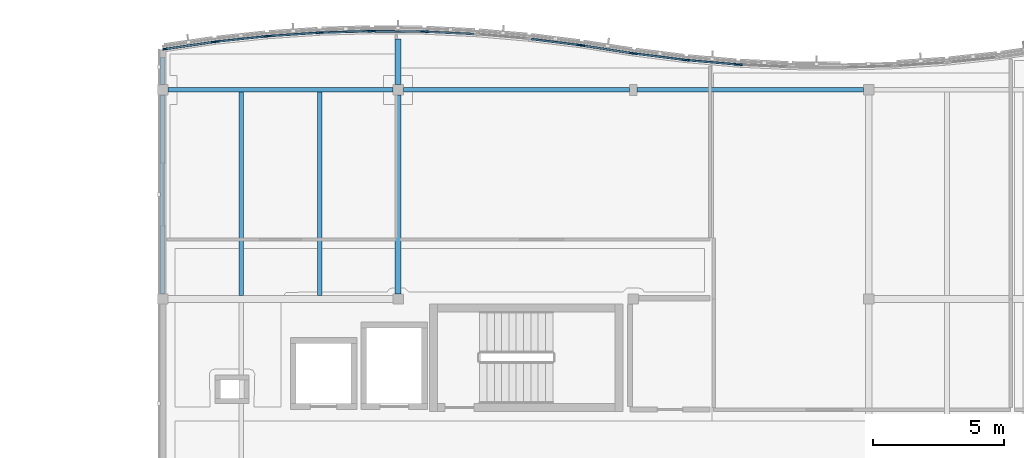
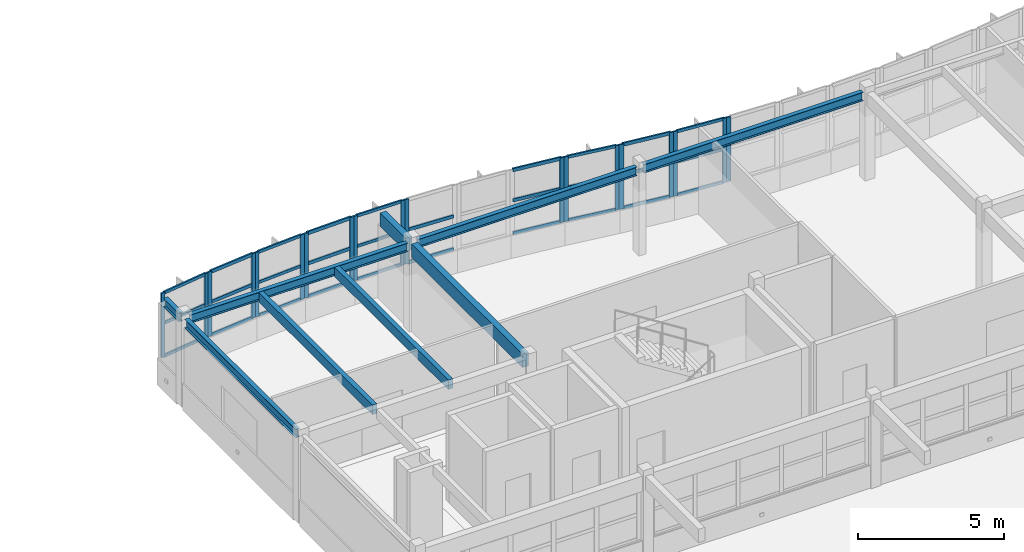
# One storey, part 13 of 52: 48 members, 9 beams, 11 elements without a shape of their own.
"""IFC4 building model written with IfcOpenShell, lengths in metres."""

from ifc_helpers import new_model, si_unit, direction, frame, origin, origin_2d, place, context, subcontext, project, spatial, rectangle, i_section, extrude, material, layer, layer_set, material_profile, profile_set, type_object, element, aggregate, save


model = new_model("IFC4")

# Units and contexts
model_context = context("Model", 3, precision=1e-05, world=origin(), true_north=direction((0.0, 1.0)))
body_context = subcontext(model_context, "Body", "Model", "MODEL_VIEW")
ifc_project = project(units=[si_unit("LENGTHUNIT", "METRE"), si_unit("AREAUNIT", "SQUARE_METRE"), si_unit("VOLUMEUNIT", "CUBIC_METRE"), si_unit("PLANEANGLEUNIT", "RADIAN"), si_unit("MASSUNIT", "GRAM", prefix="KILO")], contexts=[model_context])

# Site, building, storey
site_placement = place(None, origin())
site = spatial("IfcSite", under=ifc_project, at=site_placement, CompositionType="ELEMENT")
building_placement = place(site_placement, origin())
building = spatial("IfcBuilding", under=site, at=building_placement, Name="Tonlespit Floodbar School", CompositionType="ELEMENT")
storey_placement = place(building_placement, frame((0.0, 0.0, 12.300048828125)))
storey = spatial("IfcBuildingStorey", under=building, at=storey_placement, Name="L03", CompositionType="ELEMENT", Elevation=12.300048828125)

# Beams
ifc_material_1 = material(Name="Glulam GL28h", Category="wood")
ifc_material_profile_1 = material_profile(ifc_material_1, rectangle(XDim=0.239990234375, YDim=0.56005859375, at=origin_2d()), Name="GL 240x560")
ifc_profile_set_1 = profile_set([ifc_material_profile_1], Name="Glulam GL28h")
beam_type_1 = type_object("IfcBeamType", Name="Beam_GL_240x560", PredefinedType="BEAM", material=ifc_profile_set_1)
beam_1_placement = place(storey_placement, frame((53.0, 112.199951171875, 3.369873046875), z_axis=(0.0, 1.0, 0.0), x_axis=(-1.0, 0.0, 0.0)))
element("IfcBeam", 1, at=beam_1_placement, inside=storey, type_object=beam_type_1, Name="L03 girder 1224", PredefinedType="BEAM", context=body_context, shape_type="SweptSolid", body=[
    extrude(rectangle(XDim=0.239990234375, YDim=0.56005859375, at=origin_2d()), origin(), (0.0, 0.0, 1.0), 7.60009765625),
])
beam_2_placement = place(storey_placement, frame((53.0, 120.199951171875, 3.369873046875), z_axis=(0.0, 1.0, 0.0), x_axis=(-1.0, 0.0, 0.0)))
element("IfcBeam", 2, at=beam_2_placement, inside=storey, type_object=beam_type_1, Name="L03 north street wave cantilever bracket", PredefinedType="BEAM", context=body_context, shape_type="SweptSolid", body=[
    extrude(rectangle(XDim=0.239990234375, YDim=0.56005859375, at=origin_2d()), origin(), (0.0, 0.0, 1.0), 1.7470703125),
])

# Curtain wall, members
ifc_material_2 = material(Name="Anodised Aluminium", Category="aluminium")
ifc_layer_1 = layer(ifc_material_2, 0.159912109375)
ifc_layer_set_1 = layer_set([ifc_layer_1], Name="Anodised Aluminium")
curtain_wall_type_1 = type_object("IfcCurtainWallType", Name="CurtainWall_1950x2700", PredefinedType="NOTDEFINED", material=ifc_layer_set_1)
curtain_wall_1_placement = place(storey_placement, origin())
curtain_wall_1 = element("IfcCurtainWall", 3, at=curtain_wall_1_placement, inside=storey, type_object=curtain_wall_type_1, Name="L03 unitised curtain wall 0124", PredefinedType="NOTDEFINED")
ifc_material_profile_2 = material_profile(ifc_material_2, rectangle(XDim=0.06494140625, YDim=0.14990234375, at=origin_2d()), Name="ALU M65x150")
ifc_profile_set_2 = profile_set([ifc_material_profile_2], Name="Anodised Aluminium")
member_type_1 = type_object("IfcMemberType", Name="CW_Mullion_65x150", PredefinedType="MULLION", material=ifc_profile_set_2)
member_1_placement = place(storey_placement, frame((44.07177734375, 121.560546875, 0.949951171875), z_axis=(0.0, 0.0, 1.0), x_axis=(-0.144248041079, 0.989541561858, 0.0)))
member_1 = element("IfcMember", 4, at=member_1_placement, type_object=member_type_1, Name="CW-04 mullion 1", PredefinedType="MULLION", context=body_context, shape_type="SweptSolid", body=[
    extrude(rectangle(XDim=0.06494140625, YDim=0.14990234375, at=origin_2d()), origin(), (0.0, 0.0, 1.0), 2.699951171875),
])
member_2_placement = place(storey_placement, frame((45.92822265625, 121.8310546875, 0.949951171875), z_axis=(0.0, 0.0, 1.0), x_axis=(-0.144248041079, 0.989541561858, 0.0)))
member_2 = element("IfcMember", 5, at=member_2_placement, type_object=member_type_1, Name="CW-04 mullion 2", PredefinedType="MULLION", context=body_context, shape_type="SweptSolid", body=[
    extrude(rectangle(XDim=0.06494140625, YDim=0.14990234375, at=origin_2d()), origin(), (0.0, 0.0, 1.0), 2.699951171875),
])

ifc_layer_2 = layer(ifc_material_2, 0.159912109375)
ifc_layer_set_2 = layer_set([ifc_layer_2], Name="Anodised Aluminium")
curtain_wall_type_2 = type_object("IfcCurtainWallType", Name="CurtainWall_1900x2700", PredefinedType="NOTDEFINED", material=ifc_layer_set_2)
curtain_wall_2_placement = place(storey_placement, origin())
curtain_wall_2 = element("IfcCurtainWall", 6, at=curtain_wall_2_placement, inside=storey, type_object=curtain_wall_type_2, Name="L03 unitised curtain wall 0126", PredefinedType="NOTDEFINED")
member_3_placement = place(storey_placement, frame((48.072265625, 122.05908203125, 0.949951171875), z_axis=(0.0, 0.0, 1.0), x_axis=(-0.067339767311, 0.99773010165, 0.0)))
member_3 = element("IfcMember", 7, at=member_3_placement, type_object=member_type_1, Name="CW-05 mullion 1", PredefinedType="MULLION", context=body_context, shape_type="SweptSolid", body=[
    extrude(rectangle(XDim=0.06494140625, YDim=0.14990234375, at=origin_2d()), origin(), (0.0, 0.0, 1.0), 2.699951171875),
])
member_4_placement = place(storey_placement, frame((49.927734375, 122.184326171875, 0.949951171875), z_axis=(0.0, 0.0, 1.0), x_axis=(-0.067339767311, 0.99773010165, 0.0)))
member_4 = element("IfcMember", 8, at=member_4_placement, type_object=member_type_1, Name="CW-05 mullion 2", PredefinedType="MULLION", context=body_context, shape_type="SweptSolid", body=[
    extrude(rectangle(XDim=0.06494140625, YDim=0.14990234375, at=origin_2d()), origin(), (0.0, 0.0, 1.0), 2.699951171875),
])

curtain_wall_3_placement = place(storey_placement, origin())
curtain_wall_3 = element("IfcCurtainWall", 9, at=curtain_wall_3_placement, inside=storey, type_object=curtain_wall_type_2, Name="L03 unitised curtain wall 0128", PredefinedType="NOTDEFINED")
member_5_placement = place(storey_placement, frame((52.072509765625, 122.246337890625, 0.949951171875), z_axis=(0.0, 0.0, 1.0), x_axis=(0.009582893292, 0.999954083024, 0.0)))
member_5 = element("IfcMember", 10, at=member_5_placement, type_object=member_type_1, Name="CW-05 mullion 1", PredefinedType="MULLION", context=body_context, shape_type="SweptSolid", body=[
    extrude(rectangle(XDim=0.06494140625, YDim=0.14990234375, at=origin_2d()), origin(), (0.0, 0.0, 1.0), 2.699951171875),
])
member_6_placement = place(storey_placement, frame((53.927490234375, 122.228515625, 0.949951171875), z_axis=(0.0, 0.0, 1.0), x_axis=(0.009582893292, 0.999954083024, 0.0)))
member_6 = element("IfcMember", 11, at=member_6_placement, type_object=member_type_1, Name="CW-05 mullion 2", PredefinedType="MULLION", context=body_context, shape_type="SweptSolid", body=[
    extrude(rectangle(XDim=0.06494140625, YDim=0.14990234375, at=origin_2d()), origin(), (0.0, 0.0, 1.0), 2.699951171875),
])

curtain_wall_4_placement = place(storey_placement, origin())
curtain_wall_4 = element("IfcCurtainWall", 12, at=curtain_wall_4_placement, inside=storey, type_object=curtain_wall_type_1, Name="L03 unitised curtain wall 0132", PredefinedType="NOTDEFINED")
member_7_placement = place(storey_placement, frame((60.071533203125, 121.694580078125, 0.949951171875), z_axis=(0.0, 0.0, 1.0), x_axis=(0.153796288585, 0.988102576465, 0.0)))
member_7 = element("IfcMember", 13, at=member_7_placement, type_object=member_type_1, Name="CW-04 mullion 1", PredefinedType="MULLION", context=body_context, shape_type="SweptSolid", body=[
    extrude(rectangle(XDim=0.06494140625, YDim=0.14990234375, at=origin_2d()), origin(), (0.0, 0.0, 1.0), 2.699951171875),
])
member_8_placement = place(storey_placement, frame((61.928466796875, 121.405517578125, 0.949951171875), z_axis=(0.0, 0.0, 1.0), x_axis=(0.153796288585, 0.988102576465, 0.0)))
member_8 = element("IfcMember", 14, at=member_8_placement, type_object=member_type_1, Name="CW-04 mullion 2", PredefinedType="MULLION", context=body_context, shape_type="SweptSolid", body=[
    extrude(rectangle(XDim=0.06494140625, YDim=0.14990234375, at=origin_2d()), origin(), (0.0, 0.0, 1.0), 2.699951171875),
])

curtain_wall_5_placement = place(storey_placement, origin())
curtain_wall_5 = element("IfcCurtainWall", 15, at=curtain_wall_5_placement, inside=storey, type_object=curtain_wall_type_1, Name="L03 unitised curtain wall 0134", PredefinedType="NOTDEFINED")
member_9_placement = place(storey_placement, frame((64.072265625, 121.135986328125, 0.949951171875), z_axis=(0.0, 0.0, 1.0), x_axis=(0.086531117454, 0.996249148412, 0.0)))
member_9 = element("IfcMember", 16, at=member_9_placement, type_object=member_type_1, Name="CW-04 mullion 1", PredefinedType="MULLION", context=body_context, shape_type="SweptSolid", body=[
    extrude(rectangle(XDim=0.06494140625, YDim=0.14990234375, at=origin_2d()), origin(), (0.0, 0.0, 1.0), 2.699951171875),
])
member_10_placement = place(storey_placement, frame((65.927734375, 120.974853515625, 0.949951171875), z_axis=(0.0, 0.0, 1.0), x_axis=(0.086531117454, 0.996249148412, 0.0)))
member_10 = element("IfcMember", 17, at=member_10_placement, type_object=member_type_1, Name="CW-04 mullion 2", PredefinedType="MULLION", context=body_context, shape_type="SweptSolid", body=[
    extrude(rectangle(XDim=0.06494140625, YDim=0.14990234375, at=origin_2d()), origin(), (0.0, 0.0, 1.0), 2.699951171875),
])

curtain_wall_6_placement = place(storey_placement, origin())
curtain_wall_6 = element("IfcCurtainWall", 18, at=curtain_wall_6_placement, inside=storey, type_object=curtain_wall_type_1, Name="L03 unitised curtain wall 0125", PredefinedType="NOTDEFINED")
ifc_material_profile_3 = material_profile(ifc_material_2, rectangle(XDim=0.06494140625, YDim=0.179931640625, at=origin_2d()), Name="ALU M65x180")
ifc_profile_set_3 = profile_set([ifc_material_profile_3], Name="Anodised Aluminium")
member_type_2 = type_object("IfcMemberType", Name="CW_Mullion_65x180", PredefinedType="MULLION", material=ifc_profile_set_3)
member_11_placement = place(storey_placement, frame((46.072021484375, 121.84912109375, 0.949951171875), z_axis=(0.0, 0.0, 1.0), x_axis=(-0.105787143968, 0.994388797288, 0.0)))
member_11 = element("IfcMember", 19, at=member_11_placement, type_object=member_type_2, Name="CW-04 mullion 1", PredefinedType="MULLION", context=body_context, shape_type="SweptSolid", body=[
    extrude(rectangle(XDim=0.06494140625, YDim=0.179931640625, at=origin_2d()), origin(), (0.0, 0.0, 1.0), 2.699951171875),
])
member_12_placement = place(storey_placement, frame((47.927978515625, 122.046630859375, 0.949951171875), z_axis=(0.0, 0.0, 1.0), x_axis=(-0.105787143968, 0.994388797288, 0.0)))
member_12 = element("IfcMember", 20, at=member_12_placement, type_object=member_type_2, Name="CW-04 mullion 2", PredefinedType="MULLION", context=body_context, shape_type="SweptSolid", body=[
    extrude(rectangle(XDim=0.06494140625, YDim=0.179931640625, at=origin_2d()), origin(), (0.0, 0.0, 1.0), 2.699951171875),
])

curtain_wall_7_placement = place(storey_placement, origin())
curtain_wall_7 = element("IfcCurtainWall", 21, at=curtain_wall_7_placement, inside=storey, type_object=curtain_wall_type_2, Name="L03 unitised curtain wall 0127", PredefinedType="NOTDEFINED")
member_13_placement = place(storey_placement, frame((50.072509765625, 122.19140625, 0.949951171875), z_axis=(0.0, 0.0, 1.0), x_axis=(-0.028790144226, 0.999585477883, 0.0)))
member_13 = element("IfcMember", 22, at=member_13_placement, type_object=member_type_2, Name="CW-05 mullion 1", PredefinedType="MULLION", context=body_context, shape_type="SweptSolid", body=[
    extrude(rectangle(XDim=0.06494140625, YDim=0.179931640625, at=origin_2d()), origin(), (0.0, 0.0, 1.0), 2.699951171875),
])
member_14_placement = place(storey_placement, frame((51.927490234375, 122.244873046875, 0.949951171875), z_axis=(0.0, 0.0, 1.0), x_axis=(-0.028790144226, 0.999585477883, 0.0)))
member_14 = element("IfcMember", 23, at=member_14_placement, type_object=member_type_2, Name="CW-05 mullion 2", PredefinedType="MULLION", context=body_context, shape_type="SweptSolid", body=[
    extrude(rectangle(XDim=0.06494140625, YDim=0.179931640625, at=origin_2d()), origin(), (0.0, 0.0, 1.0), 2.699951171875),
])

# Curtain wall, member
curtain_wall_8_placement = place(storey_placement, origin())
curtain_wall_8 = element("IfcCurtainWall", 24, at=curtain_wall_8_placement, inside=storey, type_object=curtain_wall_type_2, Name="L03 unitised curtain wall 0129", PredefinedType="NOTDEFINED")
member_15_placement = place(storey_placement, frame((54.072509765625, 122.224365234375, 0.949951171875), z_axis=(0.0, 0.0, 1.0), x_axis=(0.048121270216, 0.998841500616, 0.0)))
member_15 = element("IfcMember", 25, at=member_15_placement, type_object=member_type_2, Name="CW-05 mullion 1", PredefinedType="MULLION", context=body_context, shape_type="SweptSolid", body=[
    extrude(rectangle(XDim=0.06494140625, YDim=0.179931640625, at=origin_2d()), origin(), (0.0, 0.0, 1.0), 2.699951171875),
])

curtain_wall_9_placement = place(storey_placement, origin())
curtain_wall_9 = element("IfcCurtainWall", 26, at=curtain_wall_9_placement, inside=storey, type_object=curtain_wall_type_1, Name="L03 unitised curtain wall 0131", PredefinedType="NOTDEFINED")
member_16_placement = place(storey_placement, frame((59.927978515625, 121.71484375, 0.949951171875), z_axis=(0.0, 0.0, 1.0), x_axis=(0.125013803299, 0.992155002499, 0.0)))
member_16 = element("IfcMember", 27, at=member_16_placement, type_object=member_type_2, Name="CW-04 mullion 2", PredefinedType="MULLION", context=body_context, shape_type="SweptSolid", body=[
    extrude(rectangle(XDim=0.06494140625, YDim=0.179931640625, at=origin_2d()), origin(), (0.0, 0.0, 1.0), 2.699951171875),
])

# Curtain wall, members
curtain_wall_10_placement = place(storey_placement, origin())
curtain_wall_10 = element("IfcCurtainWall", 28, at=curtain_wall_10_placement, inside=storey, type_object=curtain_wall_type_1, Name="L03 unitised curtain wall 0133", PredefinedType="NOTDEFINED")
member_17_placement = place(storey_placement, frame((62.072021484375, 121.38525390625, 0.949951171875), z_axis=(0.0, 0.0, 1.0), x_axis=(0.125013803299, 0.992155002499, 0.0)))
member_17 = element("IfcMember", 29, at=member_17_placement, type_object=member_type_2, Name="CW-04 mullion 1", PredefinedType="MULLION", context=body_context, shape_type="SweptSolid", body=[
    extrude(rectangle(XDim=0.06494140625, YDim=0.179931640625, at=origin_2d()), origin(), (0.0, 0.0, 1.0), 2.699951171875),
])
member_18_placement = place(storey_placement, frame((63.927978515625, 121.1513671875, 0.949951171875), z_axis=(0.0, 0.0, 1.0), x_axis=(0.125013803299, 0.992155002499, 0.0)))
member_18 = element("IfcMember", 30, at=member_18_placement, type_object=member_type_2, Name="CW-04 mullion 2", PredefinedType="MULLION", context=body_context, shape_type="SweptSolid", body=[
    extrude(rectangle(XDim=0.06494140625, YDim=0.179931640625, at=origin_2d()), origin(), (0.0, 0.0, 1.0), 2.699951171875),
])

# Curtain wall, member
curtain_wall_11_placement = place(storey_placement, origin())
curtain_wall_11 = element("IfcCurtainWall", 31, at=curtain_wall_11_placement, inside=storey, type_object=curtain_wall_type_2, Name="L03 unitised curtain wall 0135", PredefinedType="NOTDEFINED")
member_19_placement = place(storey_placement, frame((66.072509765625, 120.965087890625, 0.949951171875), z_axis=(0.0, 0.0, 1.0), x_axis=(0.048121270216, 0.998841500616, 0.0)))
member_19 = element("IfcMember", 32, at=member_19_placement, type_object=member_type_2, Name="CW-05 mullion 1", PredefinedType="MULLION", context=body_context, shape_type="SweptSolid", body=[
    extrude(rectangle(XDim=0.06494140625, YDim=0.179931640625, at=origin_2d()), origin(), (0.0, 0.0, 1.0), 2.699951171875),
])
aggregate(curtain_wall_11, [member_19])

# Member
ifc_material_profile_4 = material_profile(ifc_material_2, rectangle(XDim=0.06494140625, YDim=0.1201171875, at=origin_2d()), Name="ALU T65x120")
ifc_profile_set_4 = profile_set([ifc_material_profile_4], Name="Anodised Aluminium")
member_type_3 = type_object("IfcMemberType", Name="CW_Transom_65x120", PredefinedType="USERDEFINED", material=ifc_profile_set_4)
member_20_placement = place(storey_placement, frame((44.10400390625, 121.565185546875, 0.982421875), z_axis=(0.989541000818, 0.144251889765, 0.0), x_axis=(-0.144251889765, 0.989541000818, 0.0)))
member_20 = element("IfcMember", 33, at=member_20_placement, type_object=member_type_3, Name="CW-04 transom 1.1", ObjectType="TRANSOM", PredefinedType="USERDEFINED", context=body_context, shape_type="SweptSolid", body=[
    extrude(rectangle(XDim=0.06494140625, YDim=0.1201171875, at=origin_2d()), origin(), (0.0, 0.0, 1.0), 1.81103515625),
])

member_21_placement = place(storey_placement, frame((44.10400390625, 121.565185546875, 2.35400390625), z_axis=(0.989541000818, 0.144251889765, 0.0), x_axis=(-0.144251889765, 0.989541000818, 0.0)))
member_21 = element("IfcMember", 34, at=member_21_placement, type_object=member_type_3, Name="CW-04 transom 1.2", ObjectType="TRANSOM", PredefinedType="USERDEFINED", context=body_context, shape_type="SweptSolid", body=[
    extrude(rectangle(XDim=0.06494140625, YDim=0.1201171875, at=origin_2d()), origin(), (0.0, 0.0, 1.0), 1.81103515625),
])

member_22_placement = place(storey_placement, frame((44.10400390625, 121.565185546875, 3.617431640625), z_axis=(0.989541000818, 0.144251889765, 0.0), x_axis=(-0.144251889765, 0.989541000818, 0.0)))
member_22 = element("IfcMember", 35, at=member_22_placement, type_object=member_type_3, Name="CW-04 transom 1.3", ObjectType="TRANSOM", PredefinedType="USERDEFINED", context=body_context, shape_type="SweptSolid", body=[
    extrude(rectangle(XDim=0.06494140625, YDim=0.1201171875, at=origin_2d()), origin(), (0.0, 0.0, 1.0), 1.81103515625),
])

aggregate(curtain_wall_1, [member_1, member_2, member_20, member_21, member_22])

member_23_placement = place(storey_placement, frame((48.104736328125, 122.061279296875, 0.982421875), z_axis=(0.997730041674, 0.067340655935, 0.0), x_axis=(-0.067340655935, 0.997730041674, 0.0)))
member_23 = element("IfcMember", 36, at=member_23_placement, type_object=member_type_3, Name="CW-05 transom 1.1", ObjectType="TRANSOM", PredefinedType="USERDEFINED", context=body_context, shape_type="SweptSolid", body=[
    extrude(rectangle(XDim=0.06494140625, YDim=0.1201171875, at=origin_2d()), origin(), (0.0, 0.0, 1.0), 1.794677734375),
])

member_24_placement = place(storey_placement, frame((48.104736328125, 122.061279296875, 2.35400390625), z_axis=(0.997730041674, 0.067340655935, 0.0), x_axis=(-0.067340655935, 0.997730041674, 0.0)))
member_24 = element("IfcMember", 37, at=member_24_placement, type_object=member_type_3, Name="CW-05 transom 1.2", ObjectType="TRANSOM", PredefinedType="USERDEFINED", context=body_context, shape_type="SweptSolid", body=[
    extrude(rectangle(XDim=0.06494140625, YDim=0.1201171875, at=origin_2d()), origin(), (0.0, 0.0, 1.0), 1.794677734375),
])

member_25_placement = place(storey_placement, frame((48.104736328125, 122.061279296875, 3.617431640625), z_axis=(0.997730041674, 0.067340655935, 0.0), x_axis=(-0.067340655935, 0.997730041674, 0.0)))
member_25 = element("IfcMember", 38, at=member_25_placement, type_object=member_type_3, Name="CW-05 transom 1.3", ObjectType="TRANSOM", PredefinedType="USERDEFINED", context=body_context, shape_type="SweptSolid", body=[
    extrude(rectangle(XDim=0.06494140625, YDim=0.1201171875, at=origin_2d()), origin(), (0.0, 0.0, 1.0), 1.794677734375),
])

aggregate(curtain_wall_2, [member_3, member_4, member_23, member_24, member_25])

member_26_placement = place(storey_placement, frame((52.10498046875, 122.24609375, 0.982421875), z_axis=(0.999953117448, -0.009683124842, 0.0), x_axis=(0.009683124842, 0.999953117448, 0.0)))
member_26 = element("IfcMember", 39, at=member_26_placement, type_object=member_type_3, Name="CW-05 transom 1.1", ObjectType="TRANSOM", PredefinedType="USERDEFINED", context=body_context, shape_type="SweptSolid", body=[
    extrude(rectangle(XDim=0.06494140625, YDim=0.1201171875, at=origin_2d()), origin(), (0.0, 0.0, 1.0), 1.7900390625),
])

member_27_placement = place(storey_placement, frame((52.10498046875, 122.24609375, 2.35400390625), z_axis=(0.999953117448, -0.009683124842, 0.0), x_axis=(0.009683124842, 0.999953117448, 0.0)))
member_27 = element("IfcMember", 40, at=member_27_placement, type_object=member_type_3, Name="CW-05 transom 1.2", ObjectType="TRANSOM", PredefinedType="USERDEFINED", context=body_context, shape_type="SweptSolid", body=[
    extrude(rectangle(XDim=0.06494140625, YDim=0.1201171875, at=origin_2d()), origin(), (0.0, 0.0, 1.0), 1.7900390625),
])

member_28_placement = place(storey_placement, frame((52.10498046875, 122.24609375, 3.617431640625), z_axis=(0.999953117448, -0.009683124842, 0.0), x_axis=(0.009683124842, 0.999953117448, 0.0)))
member_28 = element("IfcMember", 41, at=member_28_placement, type_object=member_type_3, Name="CW-05 transom 1.3", ObjectType="TRANSOM", PredefinedType="USERDEFINED", context=body_context, shape_type="SweptSolid", body=[
    extrude(rectangle(XDim=0.06494140625, YDim=0.1201171875, at=origin_2d()), origin(), (0.0, 0.0, 1.0), 1.7900390625),
])

aggregate(curtain_wall_3, [member_5, member_6, member_26, member_27, member_28])

member_29_placement = place(storey_placement, frame((60.103759765625, 121.689453125, 0.982421875), z_axis=(0.988097838313, -0.15382672694, 0.0), x_axis=(0.15382672694, 0.988097838313, 0.0)))
member_29 = element("IfcMember", 42, at=member_29_placement, type_object=member_type_3, Name="CW-04 transom 1.1", ObjectType="TRANSOM", PredefinedType="USERDEFINED", context=body_context, shape_type="SweptSolid", body=[
    extrude(rectangle(XDim=0.06494140625, YDim=0.1201171875, at=origin_2d()), origin(), (0.0, 0.0, 1.0), 1.81396484375),
])

member_30_placement = place(storey_placement, frame((60.103759765625, 121.689453125, 2.35400390625), z_axis=(0.988097838313, -0.15382672694, 0.0), x_axis=(0.15382672694, 0.988097838313, 0.0)))
member_30 = element("IfcMember", 43, at=member_30_placement, type_object=member_type_3, Name="CW-04 transom 1.2", ObjectType="TRANSOM", PredefinedType="USERDEFINED", context=body_context, shape_type="SweptSolid", body=[
    extrude(rectangle(XDim=0.06494140625, YDim=0.1201171875, at=origin_2d()), origin(), (0.0, 0.0, 1.0), 1.81396484375),
])

member_31_placement = place(storey_placement, frame((60.103759765625, 121.689453125, 3.617431640625), z_axis=(0.988097838313, -0.15382672694, 0.0), x_axis=(0.15382672694, 0.988097838313, 0.0)))
member_31 = element("IfcMember", 44, at=member_31_placement, type_object=member_type_3, Name="CW-04 transom 1.3", ObjectType="TRANSOM", PredefinedType="USERDEFINED", context=body_context, shape_type="SweptSolid", body=[
    extrude(rectangle(XDim=0.06494140625, YDim=0.1201171875, at=origin_2d()), origin(), (0.0, 0.0, 1.0), 1.81396484375),
])

aggregate(curtain_wall_4, [member_7, member_8, member_29, member_30, member_31])

member_32_placement = place(storey_placement, frame((64.1044921875, 121.133056640625, 0.982421875), z_axis=(0.996251281774, -0.086506552139, 0.0), x_axis=(0.086506552139, 0.996251281774, 0.0)))
member_32 = element("IfcMember", 45, at=member_32_placement, type_object=member_type_3, Name="CW-04 transom 1.1", ObjectType="TRANSOM", PredefinedType="USERDEFINED", context=body_context, shape_type="SweptSolid", body=[
    extrude(rectangle(XDim=0.06494140625, YDim=0.1201171875, at=origin_2d()), origin(), (0.0, 0.0, 1.0), 1.7978515625),
])

member_33_placement = place(storey_placement, frame((64.1044921875, 121.133056640625, 2.35400390625), z_axis=(0.996251281774, -0.086506552139, 0.0), x_axis=(0.086506552139, 0.996251281774, 0.0)))
member_33 = element("IfcMember", 46, at=member_33_placement, type_object=member_type_3, Name="CW-04 transom 1.2", ObjectType="TRANSOM", PredefinedType="USERDEFINED", context=body_context, shape_type="SweptSolid", body=[
    extrude(rectangle(XDim=0.06494140625, YDim=0.1201171875, at=origin_2d()), origin(), (0.0, 0.0, 1.0), 1.7978515625),
])

member_34_placement = place(storey_placement, frame((64.1044921875, 121.133056640625, 3.617431640625), z_axis=(0.996251281774, -0.086506552139, 0.0), x_axis=(0.086506552139, 0.996251281774, 0.0)))
member_34 = element("IfcMember", 47, at=member_34_placement, type_object=member_type_3, Name="CW-04 transom 1.3", ObjectType="TRANSOM", PredefinedType="USERDEFINED", context=body_context, shape_type="SweptSolid", body=[
    extrude(rectangle(XDim=0.06494140625, YDim=0.1201171875, at=origin_2d()), origin(), (0.0, 0.0, 1.0), 1.7978515625),
])

aggregate(curtain_wall_5, [member_9, member_10, member_32, member_33, member_34])

ifc_material_profile_5 = material_profile(ifc_material_2, rectangle(XDim=0.06494140625, YDim=0.139892578125, at=origin_2d()), Name="ALU T65x140")
ifc_profile_set_5 = profile_set([ifc_material_profile_5], Name="Anodised Aluminium")
member_type_4 = type_object("IfcMemberType", Name="CW_Transom_65x140", PredefinedType="USERDEFINED", material=ifc_profile_set_5)
member_35_placement = place(storey_placement, frame((46.1044921875, 121.852783203125, 0.982421875), z_axis=(0.994394979136, 0.105729019047, 0.0), x_axis=(-0.105729019047, 0.994394979136, 0.0)))
member_35 = element("IfcMember", 48, at=member_35_placement, type_object=member_type_4, Name="CW-04 transom 1.1", ObjectType="TRANSOM", PredefinedType="USERDEFINED", context=body_context, shape_type="SweptSolid", body=[
    extrude(rectangle(XDim=0.06494140625, YDim=0.139892578125, at=origin_2d()), origin(), (0.0, 0.0, 1.0), 1.801025390625),
])

member_36_placement = place(storey_placement, frame((46.1044921875, 121.852783203125, 2.35400390625), z_axis=(0.994394979136, 0.105729019047, 0.0), x_axis=(-0.105729019047, 0.994394979136, 0.0)))
member_36 = element("IfcMember", 49, at=member_36_placement, type_object=member_type_4, Name="CW-04 transom 1.2", ObjectType="TRANSOM", PredefinedType="USERDEFINED", context=body_context, shape_type="SweptSolid", body=[
    extrude(rectangle(XDim=0.06494140625, YDim=0.139892578125, at=origin_2d()), origin(), (0.0, 0.0, 1.0), 1.801025390625),
])

member_37_placement = place(storey_placement, frame((46.1044921875, 121.852783203125, 3.617431640625), z_axis=(0.994394979136, 0.105729019047, 0.0), x_axis=(-0.105729019047, 0.994394979136, 0.0)))
member_37 = element("IfcMember", 50, at=member_37_placement, type_object=member_type_4, Name="CW-04 transom 1.3", ObjectType="TRANSOM", PredefinedType="USERDEFINED", context=body_context, shape_type="SweptSolid", body=[
    extrude(rectangle(XDim=0.06494140625, YDim=0.139892578125, at=origin_2d()), origin(), (0.0, 0.0, 1.0), 1.801025390625),
])

aggregate(curtain_wall_6, [member_11, member_12, member_35, member_36, member_37])

member_38_placement = place(storey_placement, frame((50.10498046875, 122.1923828125, 0.982421875), z_axis=(0.999586171543, 0.02876605049, 0.0), x_axis=(-0.02876605049, 0.999586171543, 0.0)))
member_38 = element("IfcMember", 51, at=member_38_placement, type_object=member_type_4, Name="CW-05 transom 1.1", ObjectType="TRANSOM", PredefinedType="USERDEFINED", context=body_context, shape_type="SweptSolid", body=[
    extrude(rectangle(XDim=0.06494140625, YDim=0.139892578125, at=origin_2d()), origin(), (0.0, 0.0, 1.0), 1.790771484375),
])

member_39_placement = place(storey_placement, frame((50.10498046875, 122.1923828125, 2.35400390625), z_axis=(0.999586171543, 0.02876605049, 0.0), x_axis=(-0.02876605049, 0.999586171543, 0.0)))
member_39 = element("IfcMember", 52, at=member_39_placement, type_object=member_type_4, Name="CW-05 transom 1.2", ObjectType="TRANSOM", PredefinedType="USERDEFINED", context=body_context, shape_type="SweptSolid", body=[
    extrude(rectangle(XDim=0.06494140625, YDim=0.139892578125, at=origin_2d()), origin(), (0.0, 0.0, 1.0), 1.790771484375),
])

member_40_placement = place(storey_placement, frame((50.10498046875, 122.1923828125, 3.617431640625), z_axis=(0.999586171543, 0.02876605049, 0.0), x_axis=(-0.02876605049, 0.999586171543, 0.0)))
member_40 = element("IfcMember", 53, at=member_40_placement, type_object=member_type_4, Name="CW-05 transom 1.3", ObjectType="TRANSOM", PredefinedType="USERDEFINED", context=body_context, shape_type="SweptSolid", body=[
    extrude(rectangle(XDim=0.06494140625, YDim=0.139892578125, at=origin_2d()), origin(), (0.0, 0.0, 1.0), 1.790771484375),
])

aggregate(curtain_wall_7, [member_13, member_14, member_38, member_39, member_40])

member_41_placement = place(storey_placement, frame((54.10498046875, 122.22265625, 0.982421875), z_axis=(0.998843034795, -0.048089415069, 0.0), x_axis=(0.048089415069, 0.998843034795, 0.0)))
member_41 = element("IfcMember", 54, at=member_41_placement, type_object=member_type_4, Name="CW-05 transom 1.1", ObjectType="TRANSOM", PredefinedType="USERDEFINED", context=body_context, shape_type="SweptSolid", body=[
    extrude(rectangle(XDim=0.06494140625, YDim=0.139892578125, at=origin_2d()), origin(), (0.0, 0.0, 1.0), 1.7919921875),
])

member_42_placement = place(storey_placement, frame((54.10498046875, 122.22265625, 2.35400390625), z_axis=(0.998843034795, -0.048089415069, 0.0), x_axis=(0.048089415069, 0.998843034795, 0.0)))
member_42 = element("IfcMember", 55, at=member_42_placement, type_object=member_type_4, Name="CW-05 transom 1.2", ObjectType="TRANSOM", PredefinedType="USERDEFINED", context=body_context, shape_type="SweptSolid", body=[
    extrude(rectangle(XDim=0.06494140625, YDim=0.139892578125, at=origin_2d()), origin(), (0.0, 0.0, 1.0), 1.7919921875),
])

aggregate(curtain_wall_8, [member_15, member_41, member_42])

member_43_placement = place(storey_placement, frame((58.104248046875, 121.944580078125, 0.982421875), z_axis=(0.992148373735, -0.125066400341, 0.0), x_axis=(0.125066400341, 0.992148373735, 0.0)))
member_43 = element("IfcMember", 56, at=member_43_placement, type_object=member_type_4, Name="CW-04 transom 1.1", ObjectType="TRANSOM", PredefinedType="USERDEFINED", context=body_context, shape_type="SweptSolid", body=[
    extrude(rectangle(XDim=0.06494140625, YDim=0.139892578125, at=origin_2d()), origin(), (0.0, 0.0, 1.0), 1.8056640625),
])

member_44_placement = place(storey_placement, frame((58.104248046875, 121.944580078125, 2.35400390625), z_axis=(0.992148373735, -0.125066400341, 0.0), x_axis=(0.125066400341, 0.992148373735, 0.0)))
member_44 = element("IfcMember", 57, at=member_44_placement, type_object=member_type_4, Name="CW-04 transom 1.2", ObjectType="TRANSOM", PredefinedType="USERDEFINED", context=body_context, shape_type="SweptSolid", body=[
    extrude(rectangle(XDim=0.06494140625, YDim=0.139892578125, at=origin_2d()), origin(), (0.0, 0.0, 1.0), 1.8056640625),
])

member_45_placement = place(storey_placement, frame((58.104248046875, 121.944580078125, 3.617431640625), z_axis=(0.992148373735, -0.125066400341, 0.0), x_axis=(0.125066400341, 0.992148373735, 0.0)))
member_45 = element("IfcMember", 58, at=member_45_placement, type_object=member_type_4, Name="CW-04 transom 1.3", ObjectType="TRANSOM", PredefinedType="USERDEFINED", context=body_context, shape_type="SweptSolid", body=[
    extrude(rectangle(XDim=0.06494140625, YDim=0.139892578125, at=origin_2d()), origin(), (0.0, 0.0, 1.0), 1.8056640625),
])

aggregate(curtain_wall_9, [member_16, member_43, member_44, member_45])

member_46_placement = place(storey_placement, frame((62.104248046875, 121.381103515625, 0.982421875), z_axis=(0.992165142165, -0.124933304901, 0.0), x_axis=(0.124933304901, 0.992165142165, 0.0)))
member_46 = element("IfcMember", 59, at=member_46_placement, type_object=member_type_4, Name="CW-04 transom 1.1", ObjectType="TRANSOM", PredefinedType="USERDEFINED", context=body_context, shape_type="SweptSolid", body=[
    extrude(rectangle(XDim=0.06494140625, YDim=0.139892578125, at=origin_2d()), origin(), (0.0, 0.0, 1.0), 1.8056640625),
])

member_47_placement = place(storey_placement, frame((62.104248046875, 121.381103515625, 2.35400390625), z_axis=(0.992165142165, -0.124933304901, 0.0), x_axis=(0.124933304901, 0.992165142165, 0.0)))
member_47 = element("IfcMember", 60, at=member_47_placement, type_object=member_type_4, Name="CW-04 transom 1.2", ObjectType="TRANSOM", PredefinedType="USERDEFINED", context=body_context, shape_type="SweptSolid", body=[
    extrude(rectangle(XDim=0.06494140625, YDim=0.139892578125, at=origin_2d()), origin(), (0.0, 0.0, 1.0), 1.8056640625),
])

member_48_placement = place(storey_placement, frame((62.104248046875, 121.381103515625, 3.617431640625), z_axis=(0.992165142165, -0.124933304901, 0.0), x_axis=(0.124933304901, 0.992165142165, 0.0)))
member_48 = element("IfcMember", 61, at=member_48_placement, type_object=member_type_4, Name="CW-04 transom 1.3", ObjectType="TRANSOM", PredefinedType="USERDEFINED", context=body_context, shape_type="SweptSolid", body=[
    extrude(rectangle(XDim=0.06494140625, YDim=0.139892578125, at=origin_2d()), origin(), (0.0, 0.0, 1.0), 1.8056640625),
])

aggregate(curtain_wall_10, [member_17, member_18, member_46, member_47, member_48])

# Beams
ifc_material_profile_6 = material_profile(ifc_material_1, rectangle(XDim=0.179931640625, YDim=0.39990234375, at=origin_2d()), Name="GL 180x400")
ifc_profile_set_6 = profile_set([ifc_material_profile_6], Name="Glulam GL28h")
beam_type_2 = type_object("IfcBeamType", Name="Joist_GL_180x400", PredefinedType="JOIST", material=ifc_profile_set_6)
for number, where, z_axis, x_axis, name in (
    (62, (47.0, 112.139892578125, 3.449951171875), (0.0, 1.0, 0.0), (-1.0, 0.0, 0.0), "L03 secondary joist 1263"),
    (63, (50.0, 112.139892578125, 3.449951171875), (0.0, 1.0, 0.0), (-1.0, 0.0, 0.0), "L03 secondary joist 1264"),
):
    element("IfcBeam", number, at=place(storey_placement, frame(where, z_axis=z_axis, x_axis=x_axis)), inside=storey, type_object=beam_type_2, Name=name, PredefinedType="JOIST", context=body_context, shape_type="SweptSolid", body=[
        extrude(rectangle(XDim=0.179931640625, YDim=0.39990234375, at=origin_2d()), origin(), (0.0, 0.0, 1.0), 7.775146484375),
    ])
ifc_material_3 = material(Name="Steel S355", Category="steel")
ifc_material_profile_7 = material_profile(ifc_material_3, i_section(OverallWidth=0.169921875, OverallDepth=0.360107421875, WebThickness=0.008056640625, FlangeThickness=0.0126953125, at=origin_2d()), Name="IPE 360")
ifc_profile_set_7 = profile_set([ifc_material_profile_7], Name="Steel S355")
beam_type_3 = type_object("IfcBeamType", Name="Spandrel_STL_IPE360", PredefinedType="SPANDREL", material=ifc_profile_set_7)
beam_3_placement = place(storey_placement, frame((44.199951171875, 120.0, 3.469970703125), z_axis=(1.0, 0.0, 0.0), x_axis=(0.0, 1.0, 0.0)))
element("IfcBeam", 64, at=beam_3_placement, inside=storey, type_object=beam_type_3, Name="L03 girder 1189", PredefinedType="SPANDREL", context=body_context, shape_type="SweptSolid", body=[
    extrude(i_section(OverallWidth=0.169921875, OverallDepth=0.360107421875, WebThickness=0.008056640625, FlangeThickness=0.0126953125, at=origin_2d()), origin(), (0.0, 0.0, 1.0), 8.60009765625),
])
for number, where, z_axis, x_axis, name in (
    (65, (53.199951171875, 120.0, 3.469970703125), (1.0, 0.0, 0.0), (0.0, 1.0, 0.0), "L03 girder 1190"),
    (66, (62.139892578125, 120.0, 3.469970703125), (1.0, 0.0, 0.0), (0.0, 1.0, 0.0), "L03 girder 1191"),
):
    element("IfcBeam", number, at=place(storey_placement, frame(where, z_axis=z_axis, x_axis=x_axis)), inside=storey, type_object=beam_type_3, Name=name, PredefinedType="SPANDREL", context=body_context, shape_type="SweptSolid", body=[
        extrude(i_section(OverallWidth=0.169921875, OverallDepth=0.360107421875, WebThickness=0.008056640625, FlangeThickness=0.0126953125, at=origin_2d()), origin(), (0.0, 0.0, 1.0), 8.66015625),
    ])
beam_4_placement = place(storey_placement, frame((44.0, 112.199951171875, 3.469970703125), z_axis=(0.0, 1.0, 0.0), x_axis=(-1.0, 0.0, 0.0)))
element("IfcBeam", 67, at=beam_4_placement, inside=storey, type_object=beam_type_3, Name="L03 girder 1223", PredefinedType="SPANDREL", context=body_context, shape_type="SweptSolid", body=[
    extrude(i_section(OverallWidth=0.169921875, OverallDepth=0.360107421875, WebThickness=0.008056640625, FlangeThickness=0.0126953125, at=origin_2d()), origin(), (0.0, 0.0, 1.0), 7.60009765625),
])
beam_5_placement = place(storey_placement, frame((44.0, 120.199951171875, 3.469970703125), z_axis=(0.0, 1.0, 0.0), x_axis=(-1.0, 0.0, 0.0)))
element("IfcBeam", 68, at=beam_5_placement, inside=storey, type_object=beam_type_3, Name="L03 north street wave cantilever bracket", PredefinedType="SPANDREL", context=body_context, shape_type="SweptSolid", body=[
    extrude(i_section(OverallWidth=0.169921875, OverallDepth=0.360107421875, WebThickness=0.008056640625, FlangeThickness=0.0126953125, at=origin_2d()), origin(), (0.0, 0.0, 1.0), 1.050048828125),
])

save(model, "model.ifc")
